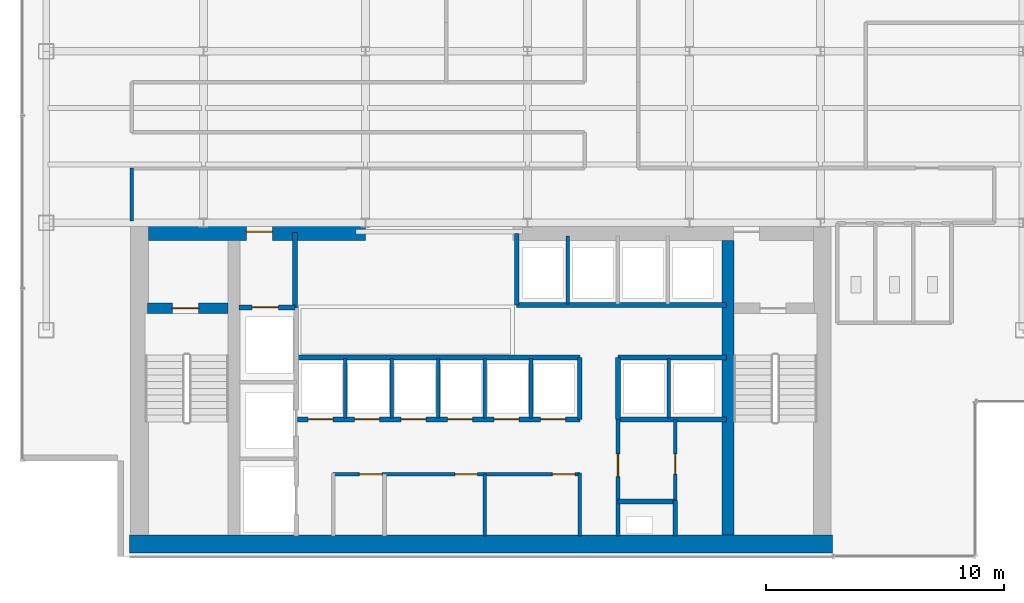
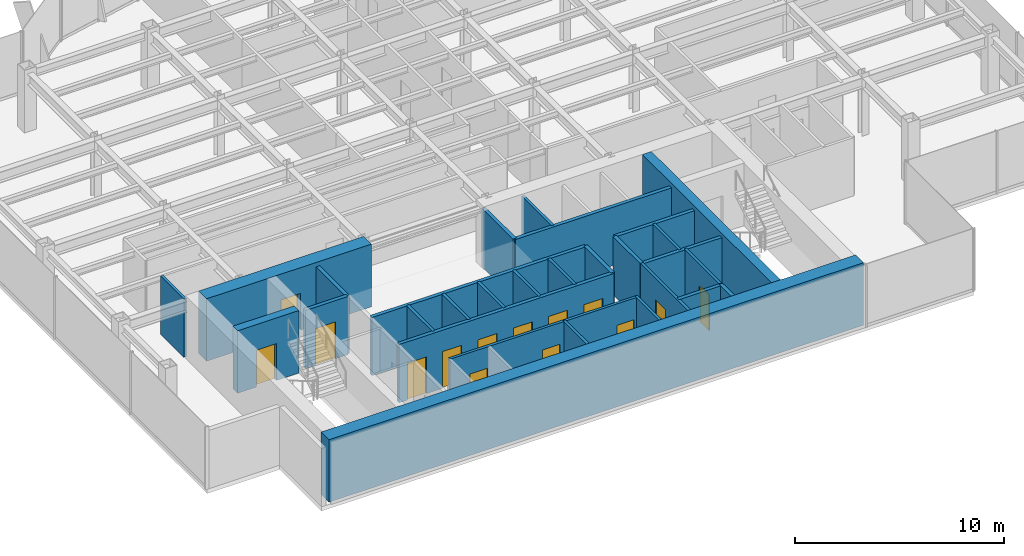
# One storey, part 20 of 25: 29 walls, 14 doors, 14 openings.
"""IFC4 building model written with IfcOpenShell, lengths in metres."""

from ifc_helpers import new_model, si_unit, derived_unit, direction, frame, frame_2d, origin, place, context, subcontext, project, spatial, rectangle, extrude, source, transform, mapped, material, layer, layer_set, type_object, element, fill, save


model = new_model("IFC4")

# Units and contexts
model_context = context("Model", 3, precision=1e-05, world=origin(), true_north=direction((0.0, 1.0)))
body_context = subcontext(model_context, "Body", "Model", "MODEL_VIEW")
ifc_project = project(units=[si_unit("LENGTHUNIT", "METRE"), si_unit("AREAUNIT", "SQUARE_METRE"), si_unit("VOLUMEUNIT", "CUBIC_METRE"), si_unit("PLANEANGLEUNIT", "RADIAN"), si_unit("MASSUNIT", "GRAM", prefix="KILO"), derived_unit("THERMALTRANSMITTANCEUNIT", [(si_unit("POWERUNIT", "WATT"), 1), (si_unit("LENGTHUNIT", "METRE"), -2), (si_unit("THERMODYNAMICTEMPERATUREUNIT", "KELVIN"), -1)])], contexts=[model_context])

# Site, building, storey
site_placement = place(None, origin())
site = spatial("IfcSite", under=ifc_project, at=site_placement, CompositionType="ELEMENT")
building_placement = place(site_placement, origin())
building = spatial("IfcBuilding", under=site, at=building_placement, Name="Skarnbrae Concourse Arena and Tower", CompositionType="ELEMENT")
storey_placement = place(building_placement, frame((0.0, 0.0, 177.10009765625)))
storey = spatial("IfcBuildingStorey", under=building, at=storey_placement, Name="L45", CompositionType="ELEMENT", Elevation=177.10009765625)

# Wall, opening, door
ifc_material_1 = material(Name="Concrete 50 MPa (C50/60)", Category="concrete")
ifc_layer_1 = layer(ifc_material_1, 0.449951171875)
ifc_layer_set_1 = layer_set([ifc_layer_1], Name="Concrete 50 MPa (C50/60)")
wall_type_1 = type_object("IfcWallType", Name="WALL-CORE-450-C50", PredefinedType="SHEAR", material=ifc_layer_set_1)
shared_shape_1 = source(origin(), body_context, "Body", "SweptSolid", [
    extrude(rectangle(XDim=3.389892578125, YDim=0.449951171875, at=frame_2d((1.69482421875, 0.0))), origin(), (0.0, 0.0, 1.0), 3.64990234375),
])
wall_1_placement = place(storey_placement, frame((5.25, 10.419921875, 0.0), z_axis=(0.0, 0.0, 1.0), x_axis=(1.0, 0.0, 0.0)))
wall_1 = element("IfcWall", 1, at=wall_1_placement, inside=storey, type_object=wall_type_1, Name="L45 Rear core shear wall CW-ST1-N", PredefinedType="SHEAR", context=body_context, shape_type="MappedRepresentation", body=[
    mapped(shared_shape_1, transform((0.0, 0.0, 0.0))),
])
opening_1_placement = place(wall_1_placement, frame((1.050048828125, 0.0, 0.0)))
opening_1 = element("IfcOpeningElement", 2, at=opening_1_placement, cuts=wall_1, Name="Opening DT-03", PredefinedType="OPENING", context=body_context, shape_type="SweptSolid", body=[
    extrude(rectangle(XDim=1.10009765625, YDim=2.14990234375, at=frame_2d((0.550048828125, 1.074951171875))), frame((0.0, 0.23486328125, 0.0), z_axis=(0.0, -1.0, 0.0), x_axis=(1.0, 0.0, 0.0)), (0.0, 0.0, 1.0), 0.469970703125),
])
ifc_material_2 = material(Name="Steel CSA G40.21 350W", Category="steel")
door_type_1 = type_object("IfcDoorType", Name="DOOR-FIRE-1100-90M", OperationType="NOTDEFINED", PredefinedType="DOOR", material=ifc_material_2)
shared_shape_2 = source(origin(), body_context, "Body", "SweptSolid", [
    extrude(rectangle(XDim=1.10009765625, YDim=2.14990234375, at=frame_2d((0.550048828125, 1.074951171875))), frame((0.0, 0.02490234375, 0.0), z_axis=(0.0, -1.0, 0.0), x_axis=(1.0, 0.0, 0.0)), (0.0, 0.0, 1.0), 0.050048828125),
])
door_1_placement = place(opening_1_placement, frame((1.10009765625, 0.0, 0.0), z_axis=(0.0, 0.0, 1.0), x_axis=(-1.0, 0.0, 0.0)))
door_1 = element("IfcDoor", 3, at=door_1_placement, inside=storey, type_object=door_type_1, Name="D-1380 Stair ST-1 Door", OperationType="SINGLE_SWING_LEFT", OverallHeight=2.14990234375, OverallWidth=1.10009765625, PredefinedType="DOOR", context=body_context, shape_type="MappedRepresentation", body=[
    mapped(shared_shape_2, transform((0.0, 0.0, 0.0))),
])
fill(opening_1, door_1)

# Wall
ifc_material_3 = material(Name="Concrete 60 MPa (C60/75)", Category="concrete")
ifc_layer_2 = layer(ifc_material_3, 0.75)
ifc_layer_set_2 = layer_set([ifc_layer_2], Name="Concrete 60 MPa (C60/75)")
wall_type_2 = type_object("IfcWallType", Name="WALL-CORE-750-C60", PredefinedType="SHEAR", material=ifc_layer_set_2)
shared_shape_3 = source(origin(), body_context, "Body", "SweptSolid", [
    extrude(rectangle(XDim=29.5, YDim=0.75, at=frame_2d((14.75, 0.0))), origin(), (0.0, 0.0, 1.0), 3.64990234375),
])
wall_2_placement = place(storey_placement, frame((4.5, 0.52490234375, 0.0), z_axis=(0.0, 0.0, 1.0), x_axis=(1.0, 0.0, 0.0)))
element("IfcWall", 4, at=wall_2_placement, inside=storey, type_object=wall_type_2, Name="L45 Rear core shear wall CW-S", PredefinedType="SHEAR", context=body_context, shape_type="MappedRepresentation", body=[
    mapped(shared_shape_3, transform((0.0, 0.0, 0.0))),
])

# Wall, opening, door
shared_shape_4 = source(origin(), body_context, "Body", "SweptSolid", [
    extrude(rectangle(XDim=9.099853515625, YDim=0.75, at=frame_2d((4.5498046875, 0.0))), origin(), (0.0, 0.0, 1.0), 3.64990234375),
])
wall_3_placement = place(storey_placement, frame((5.300048828125, 13.625, 0.0), z_axis=(0.0, 0.0, 1.0), x_axis=(1.0, 0.0, 0.0)))
wall_3 = element("IfcWall", 5, at=wall_3_placement, inside=storey, type_object=wall_type_2, Name="L45 Rear core shear wall CW-NW", PredefinedType="SHEAR", context=body_context, shape_type="MappedRepresentation", body=[
    mapped(shared_shape_4, transform((0.0, 0.0, 0.0))),
])
opening_2_placement = place(wall_3_placement, frame((4.10009765625, 0.0, 0.0)))
opening_2 = element("IfcOpeningElement", 6, at=opening_2_placement, cuts=wall_3, Name="Opening DT-03", PredefinedType="OPENING", context=body_context, shape_type="SweptSolid", body=[
    extrude(rectangle(XDim=1.10009765625, YDim=2.14990234375, at=frame_2d((0.550048828125, 1.074951171875))), frame((0.0, 0.385009765625, 0.0), z_axis=(0.0, -1.0, 0.0), x_axis=(1.0, 0.0, 0.0)), (0.0, 0.0, 1.0), 0.77001953125),
])
door_2_placement = place(opening_2_placement, origin())
door_2 = element("IfcDoor", 7, at=door_2_placement, inside=storey, type_object=door_type_1, Name="D-1382 Firefighting Lobby Exit Door", OperationType="SINGLE_SWING_RIGHT", OverallHeight=2.14990234375, OverallWidth=1.10009765625, PredefinedType="DOOR", context=body_context, shape_type="MappedRepresentation", body=[
    mapped(shared_shape_2, transform((0.0, 0.0, 0.0))),
])
fill(opening_2, door_2)

# Walls
ifc_layer_3 = layer(ifc_material_3, 0.5)
ifc_layer_set_3 = layer_set([ifc_layer_3], Name="Concrete 60 MPa (C60/75)")
wall_type_3 = type_object("IfcWallType", Name="WALL-CORE-500-C60", PredefinedType="SHEAR", material=ifc_layer_set_3)
shared_shape_5 = source(origin(), body_context, "Body", "SweptSolid", [
    extrude(rectangle(XDim=12.35009765625, YDim=0.5, at=frame_2d((6.175048828125, 0.0))), origin(), (0.0, 0.0, 1.0), 3.64990234375),
])
wall_4_placement = place(storey_placement, frame((29.610107421875, 0.89990234375, 0.0), z_axis=(0.0, 0.0, 1.0), x_axis=(0.0, 1.0, 0.0)))
element("IfcWall", 8, at=wall_4_placement, inside=storey, type_object=wall_type_3, Name="L45 Rear core shear wall CW-WEB-E", PredefinedType="SHEAR", context=body_context, shape_type="MappedRepresentation", body=[
    mapped(shared_shape_5, transform((0.0, 0.0, 0.0))),
])
ifc_material_4 = material(Name="Gypsum board on cold-formed steel studs", Category="steel")
ifc_layer_4 = layer(ifc_material_4, 0.199951171875)
ifc_layer_set_4 = layer_set([ifc_layer_4], Name="Gypsum board on cold-formed steel studs")
wall_type_4 = type_object("IfcWallType", Name="WALL-PART-200-2HR", PredefinedType="PARTITIONING", material=ifc_layer_set_4)
shared_shape_6 = source(origin(), body_context, "Body", "SweptSolid", [
    extrude(rectangle(XDim=3.18017578125, YDim=0.199951171875, at=frame_2d((1.590087890625, 0.0))), origin(), (0.0, 0.0, 1.0), 3.39990234375),
])
wall_5_placement = place(storey_placement, frame((11.449951171875, 10.419921875, 0.0), z_axis=(0.0, 0.0, 1.0), x_axis=(0.0, 1.0, 0.0)))
element("IfcWall", 9, at=wall_5_placement, inside=storey, type_object=wall_type_4, Name="L45 Interior partition wall W-L45-FFL-E", PredefinedType="PARTITIONING", context=body_context, shape_type="MappedRepresentation", body=[
    mapped(shared_shape_6, transform((0.0, 0.0, 0.0))),
])

# Wall, opening, door
shared_shape_7 = source(origin(), body_context, "Body", "SweptSolid", [
    extrude(rectangle(XDim=2.349853515625, YDim=0.199951171875, at=frame_2d((1.1748046875, 0.0))), origin(), (0.0, 0.0, 1.0), 3.39990234375),
])
wall_6_placement = place(storey_placement, frame((9.10009765625, 10.449951171875, 0.0), z_axis=(0.0, 0.0, 1.0), x_axis=(1.0, 0.0, 0.0)))
wall_6 = element("IfcWall", 10, at=wall_6_placement, inside=storey, type_object=wall_type_4, Name="L45 Interior partition wall W-L45-FL1-N", PredefinedType="PARTITIONING", context=body_context, shape_type="MappedRepresentation", body=[
    mapped(shared_shape_7, transform((0.0, 0.0, 0.0))),
])
opening_3_placement = place(wall_6_placement, frame((0.550048828125, 0.0, 0.0)))
opening_3 = element("IfcOpeningElement", 11, at=opening_3_placement, cuts=wall_6, Name="Opening LD-01", PredefinedType="OPENING", context=body_context, shape_type="SweptSolid", body=[
    extrude(rectangle(XDim=1.10009765625, YDim=2.14990234375, at=frame_2d((0.550048828125, 1.074951171875))), frame((0.0, 0.10986328125, 0.0), z_axis=(0.0, -1.0, 0.0), x_axis=(1.0, 0.0, 0.0)), (0.0, 0.0, 1.0), 0.219970703125),
])
door_type_2 = type_object("IfcDoorType", Name="DOOR-LIFT-SLIDE-1100", OperationType="SLIDING_TO_LEFT", PredefinedType="DOOR", material=ifc_material_2)
door_3_placement = place(opening_3_placement, origin())
door_3 = element("IfcDoor", 12, at=door_3_placement, inside=storey, type_object=door_type_2, Name="D-1384 Firefighting Lift Landing Door FL-01", OperationType="SLIDING_TO_LEFT", OverallHeight=2.14990234375, OverallWidth=1.10009765625, PredefinedType="DOOR", context=body_context, shape_type="MappedRepresentation", body=[
    mapped(shared_shape_2, transform((0.0, 0.0, 0.0))),
])
fill(opening_3, door_3)

# Wall
ifc_layer_5 = layer(ifc_material_4, 0.14990234375)
ifc_layer_set_5 = layer_set([ifc_layer_5], Name="Gypsum board on cold-formed steel studs")
wall_type_5 = type_object("IfcWallType", Name="WALL-PART-150", PredefinedType="PARTITIONING", material=ifc_layer_set_5)
shared_shape_8 = source(origin(), body_context, "Body", "SweptSolid", [
    extrude(rectangle(XDim=2.599853515625, YDim=0.14990234375, at=frame_2d((1.2998046875, 0.0))), origin(), (0.0, 0.0, 1.0), 3.39990234375),
])
wall_7_placement = place(storey_placement, frame((19.39990234375, 0.85009765625, 0.0), z_axis=(0.0, 0.0, 1.0), x_axis=(0.0, 1.0, 0.0)))
element("IfcWall", 13, at=wall_7_placement, inside=storey, type_object=wall_type_5, Name="L45 Interior partition wall W-L45-B1M-C2", PredefinedType="PARTITIONING", context=body_context, shape_type="MappedRepresentation", body=[
    mapped(shared_shape_8, transform((0.0, 0.0, 0.0))),
])

# Wall, openings, doors
shared_shape_9 = source(origin(), body_context, "Body", "SweptSolid", [
    extrude(rectangle(XDim=11.849853515625, YDim=0.199951171875, at=frame_2d((5.9248046875, 0.0))), origin(), (0.0, 0.0, 1.0), 3.39990234375),
])
wall_8_placement = place(storey_placement, frame((11.550048828125, 5.75, 0.0), z_axis=(0.0, 0.0, 1.0), x_axis=(1.0, 0.0, 0.0)))
wall_8 = element("IfcWall", 14, at=wall_8_placement, inside=storey, type_object=wall_type_4, Name="L45 Interior partition wall W-L45-B2-S", PredefinedType="PARTITIONING", context=body_context, shape_type="MappedRepresentation", body=[
    mapped(shared_shape_9, transform((0.0, 0.0, 0.0))),
])
opening_4_placement = place(wall_8_placement, frame((0.449951171875, 0.0, 0.0)))
opening_4 = element("IfcOpeningElement", 15, at=opening_4_placement, cuts=wall_8, Name="Opening LD-03", PredefinedType="OPENING", context=body_context, shape_type="SweptSolid", body=[
    extrude(rectangle(XDim=1.050048828125, YDim=2.14990234375, at=frame_2d((0.52490234375, 1.074951171875))), frame((0.0, 0.10986328125, 0.0), z_axis=(0.0, -1.0, 0.0), x_axis=(1.0, 0.0, 0.0)), (0.0, 0.0, 1.0), 0.219970703125),
])
opening_5_placement = place(wall_8_placement, frame((2.39990234375, 0.0, 0.0)))
opening_5 = element("IfcOpeningElement", 16, at=opening_5_placement, cuts=wall_8, Name="Opening LD-03", PredefinedType="OPENING", context=body_context, shape_type="SweptSolid", body=[
    extrude(rectangle(XDim=1.050048828125, YDim=2.14990234375, at=frame_2d((0.52490234375, 1.074951171875))), frame((0.0, 0.10986328125, 0.0), z_axis=(0.0, -1.0, 0.0), x_axis=(1.0, 0.0, 0.0)), (0.0, 0.0, 1.0), 0.219970703125),
])
opening_6_placement = place(wall_8_placement, frame((4.35009765625, 0.0, 0.0)))
opening_6 = element("IfcOpeningElement", 17, at=opening_6_placement, cuts=wall_8, Name="Opening LD-03", PredefinedType="OPENING", context=body_context, shape_type="SweptSolid", body=[
    extrude(rectangle(XDim=1.050048828125, YDim=2.14990234375, at=frame_2d((0.52490234375, 1.074951171875))), frame((0.0, 0.10986328125, 0.0), z_axis=(0.0, -1.0, 0.0), x_axis=(1.0, 0.0, 0.0)), (0.0, 0.0, 1.0), 0.219970703125),
])
opening_7_placement = place(wall_8_placement, frame((6.300048828125, 0.0, 0.0)))
opening_7 = element("IfcOpeningElement", 18, at=opening_7_placement, cuts=wall_8, Name="Opening LD-03", PredefinedType="OPENING", context=body_context, shape_type="SweptSolid", body=[
    extrude(rectangle(XDim=1.050048828125, YDim=2.14990234375, at=frame_2d((0.52490234375, 1.074951171875))), frame((0.0, 0.10986328125, 0.0), z_axis=(0.0, -1.0, 0.0), x_axis=(1.0, 0.0, 0.0)), (0.0, 0.0, 1.0), 0.219970703125),
])
opening_8_placement = place(wall_8_placement, frame((8.25, 0.0, 0.0)))
opening_8 = element("IfcOpeningElement", 19, at=opening_8_placement, cuts=wall_8, Name="Opening LD-03", PredefinedType="OPENING", context=body_context, shape_type="SweptSolid", body=[
    extrude(rectangle(XDim=1.050048828125, YDim=2.14990234375, at=frame_2d((0.52490234375, 1.074951171875))), frame((0.0, 0.10986328125, 0.0), z_axis=(0.0, -1.0, 0.0), x_axis=(1.0, 0.0, 0.0)), (0.0, 0.0, 1.0), 0.219970703125),
])
opening_9_placement = place(wall_8_placement, frame((10.199951171875, 0.0, 0.0)))
opening_9 = element("IfcOpeningElement", 20, at=opening_9_placement, cuts=wall_8, Name="Opening LD-03", PredefinedType="OPENING", context=body_context, shape_type="SweptSolid", body=[
    extrude(rectangle(XDim=1.050048828125, YDim=2.14990234375, at=frame_2d((0.52490234375, 1.074951171875))), frame((0.0, 0.10986328125, 0.0), z_axis=(0.0, -1.0, 0.0), x_axis=(1.0, 0.0, 0.0)), (0.0, 0.0, 1.0), 0.219970703125),
])
ifc_material_5 = material(Name="Bronze anodised aluminium 6063-T6", Category="aluminium")
door_type_3 = type_object("IfcDoorType", Name="DOOR-LIFT-SLIDE-1050", OperationType="SLIDING_TO_LEFT", PredefinedType="DOOR", material=ifc_material_5)
shared_shape_10 = source(origin(), body_context, "Body", "SweptSolid", [
    extrude(rectangle(XDim=1.050048828125, YDim=2.14990234375, at=frame_2d((0.52490234375, 1.074951171875))), frame((0.0, 0.02490234375, 0.0), z_axis=(0.0, -1.0, 0.0), x_axis=(1.0, 0.0, 0.0)), (0.0, 0.0, 1.0), 0.050048828125),
])
door_4_placement = place(opening_4_placement, frame((1.050048828125, 0.0, 0.0), z_axis=(0.0, 0.0, 1.0), x_axis=(-1.0, 0.0, 0.0)))
door_4 = element("IfcDoor", 21, at=door_4_placement, inside=storey, type_object=door_type_3, Name="D-1390 Passenger Lift Landing Door PL-2A", OperationType="SLIDING_TO_LEFT", OverallHeight=2.14990234375, OverallWidth=1.050048828125, PredefinedType="DOOR", context=body_context, shape_type="MappedRepresentation", body=[
    mapped(shared_shape_10, transform((0.0, 0.0, 0.0))),
])
fill(opening_4, door_4)
door_5_placement = place(opening_5_placement, frame((1.050048828125, 0.0, 0.0), z_axis=(0.0, 0.0, 1.0), x_axis=(-1.0, 0.0, 0.0)))
door_5 = element("IfcDoor", 22, at=door_5_placement, inside=storey, type_object=door_type_3, Name="D-1391 Passenger Lift Landing Door PL-2B", OperationType="SLIDING_TO_LEFT", OverallHeight=2.14990234375, OverallWidth=1.050048828125, PredefinedType="DOOR", context=body_context, shape_type="MappedRepresentation", body=[
    mapped(shared_shape_10, transform((0.0, 0.0, 0.0))),
])
fill(opening_5, door_5)
door_6_placement = place(opening_6_placement, frame((1.050048828125, 0.0, 0.0), z_axis=(0.0, 0.0, 1.0), x_axis=(-1.0, 0.0, 0.0)))
door_6 = element("IfcDoor", 23, at=door_6_placement, inside=storey, type_object=door_type_3, Name="D-1392 Passenger Lift Landing Door PL-2C", OperationType="SLIDING_TO_LEFT", OverallHeight=2.14990234375, OverallWidth=1.050048828125, PredefinedType="DOOR", context=body_context, shape_type="MappedRepresentation", body=[
    mapped(shared_shape_10, transform((0.0, 0.0, 0.0))),
])
fill(opening_6, door_6)
door_7_placement = place(opening_7_placement, frame((1.050048828125, 0.0, 0.0), z_axis=(0.0, 0.0, 1.0), x_axis=(-1.0, 0.0, 0.0)))
door_7 = element("IfcDoor", 24, at=door_7_placement, inside=storey, type_object=door_type_3, Name="D-1393 Passenger Lift Landing Door PL-2D", OperationType="SLIDING_TO_LEFT", OverallHeight=2.14990234375, OverallWidth=1.050048828125, PredefinedType="DOOR", context=body_context, shape_type="MappedRepresentation", body=[
    mapped(shared_shape_10, transform((0.0, 0.0, 0.0))),
])
fill(opening_7, door_7)
door_8_placement = place(opening_8_placement, frame((1.050048828125, 0.0, 0.0), z_axis=(0.0, 0.0, 1.0), x_axis=(-1.0, 0.0, 0.0)))
door_8 = element("IfcDoor", 25, at=door_8_placement, inside=storey, type_object=door_type_3, Name="D-1394 Passenger Lift Landing Door PL-2E", OperationType="SLIDING_TO_LEFT", OverallHeight=2.14990234375, OverallWidth=1.050048828125, PredefinedType="DOOR", context=body_context, shape_type="MappedRepresentation", body=[
    mapped(shared_shape_10, transform((0.0, 0.0, 0.0))),
])
fill(opening_8, door_8)
door_9_placement = place(opening_9_placement, frame((1.050048828125, 0.0, 0.0), z_axis=(0.0, 0.0, 1.0), x_axis=(-1.0, 0.0, 0.0)))
door_9 = element("IfcDoor", 26, at=door_9_placement, inside=storey, type_object=door_type_3, Name="D-1395 Passenger Lift Landing Door PL-2F", OperationType="SLIDING_TO_LEFT", OverallHeight=2.14990234375, OverallWidth=1.050048828125, PredefinedType="DOOR", context=body_context, shape_type="MappedRepresentation", body=[
    mapped(shared_shape_10, transform((0.0, 0.0, 0.0))),
])
fill(opening_9, door_9)

# Walls
wall_9_placement = place(storey_placement, frame((11.550048828125, 8.35009765625, 0.0), z_axis=(0.0, 0.0, 1.0), x_axis=(1.0, 0.0, 0.0)))
element("IfcWall", 27, at=wall_9_placement, inside=storey, type_object=wall_type_4, Name="L45 Interior partition wall W-L45-B2-N", PredefinedType="PARTITIONING", context=body_context, shape_type="MappedRepresentation", body=[
    mapped(shared_shape_9, transform((0.0, 0.0, 0.0))),
])
shared_shape_11 = source(origin(), body_context, "Body", "SweptSolid", [
    extrude(rectangle(XDim=2.60009765625, YDim=0.199951171875, at=frame_2d((1.300048828125, 0.0))), origin(), (0.0, 0.0, 1.0), 3.39990234375),
])
for number, where, z_axis, x_axis, name in (
    (28, (23.39990234375, 5.75, 0.0), (0.0, 0.0, 1.0), (0.0, 1.0, 0.0), "L45 Interior partition wall W-L45-B2-E"),
    (29, (25.0, 5.75, 0.0), (0.0, 0.0, 1.0), (0.0, 1.0, 0.0), "L45 Interior partition wall W-L45-B3S-W"),
):
    element("IfcWall", number, at=place(storey_placement, frame(where, z_axis=z_axis, x_axis=x_axis)), inside=storey, type_object=wall_type_4, Name=name, PredefinedType="PARTITIONING", context=body_context, shape_type="MappedRepresentation", body=[
        mapped(shared_shape_11, transform((0.0, 0.0, 0.0))),
    ])
shared_shape_12 = source(origin(), body_context, "Body", "SweptSolid", [
    extrude(rectangle(XDim=2.5, YDim=0.14990234375, at=frame_2d((1.25, 0.0))), origin(), (0.0, 0.0, 1.0), 3.39990234375),
])
for number, where, z_axis, x_axis, name in (
    (30, (13.550048828125, 5.800048828125, 0.0), (0.0, 0.0, 1.0), (0.0, 1.0, 0.0), "L45 Interior partition wall W-L45-B2-P1"),
    (31, (15.5, 5.800048828125, 0.0), (0.0, 0.0, 1.0), (0.0, 1.0, 0.0), "L45 Interior partition wall W-L45-B2-P2"),
    (32, (17.449951171875, 5.800048828125, 0.0), (0.0, 0.0, 1.0), (0.0, 1.0, 0.0), "L45 Interior partition wall W-L45-B2-P3"),
    (33, (19.39990234375, 5.800048828125, 0.0), (0.0, 0.0, 1.0), (0.0, 1.0, 0.0), "L45 Interior partition wall W-L45-B2-P4"),
    (34, (21.35009765625, 5.800048828125, 0.0), (0.0, 0.0, 1.0), (0.0, 1.0, 0.0), "L45 Interior partition wall W-L45-B2-P5"),
    (35, (27.139892578125, 5.800048828125, 0.0), (0.0, 0.0, 1.0), (0.0, 1.0, 0.0), "L45 Interior partition wall W-L45-B3S-P1"),
):
    element("IfcWall", number, at=place(storey_placement, frame(where, z_axis=z_axis, x_axis=x_axis)), inside=storey, type_object=wall_type_5, Name=name, PredefinedType="PARTITIONING", context=body_context, shape_type="MappedRepresentation", body=[
        mapped(shared_shape_12, transform((0.0, 0.0, 0.0))),
    ])
shared_shape_13 = source(origin(), body_context, "Body", "SweptSolid", [
    extrude(rectangle(XDim=8.800048828125, YDim=0.199951171875, at=frame_2d((4.39990234375, 0.0))), origin(), (0.0, 0.0, 1.0), 3.39990234375),
])
wall_10_placement = place(storey_placement, frame((20.75, 10.550048828125, 0.0), z_axis=(0.0, 0.0, 1.0), x_axis=(1.0, 0.0, 0.0)))
element("IfcWall", 36, at=wall_10_placement, inside=storey, type_object=wall_type_4, Name="L45 Interior partition wall W-L45-B3N-S", PredefinedType="PARTITIONING", context=body_context, shape_type="MappedRepresentation", body=[
    mapped(shared_shape_13, transform((0.0, 0.0, 0.0))),
])
shared_shape_14 = source(origin(), body_context, "Body", "SweptSolid", [
    extrude(rectangle(XDim=3.0, YDim=0.199951171875, at=frame_2d((1.5, 0.0))), origin(), (0.0, 0.0, 1.0), 3.39990234375),
])
wall_11_placement = place(storey_placement, frame((20.75, 10.550048828125, 0.0), z_axis=(0.0, 0.0, 1.0), x_axis=(0.0, 1.0, 0.0)))
element("IfcWall", 37, at=wall_11_placement, inside=storey, type_object=wall_type_4, Name="L45 Interior partition wall W-L45-B3N-W", PredefinedType="PARTITIONING", context=body_context, shape_type="MappedRepresentation", body=[
    mapped(shared_shape_14, transform((0.0, 0.0, 0.0))),
])
shared_shape_15 = source(origin(), body_context, "Body", "SweptSolid", [
    extrude(rectangle(XDim=2.849853515625, YDim=0.14990234375, at=frame_2d((1.4248046875, 0.0))), origin(), (0.0, 0.0, 1.0), 3.39990234375),
])
wall_12_placement = place(storey_placement, frame((22.889892578125, 10.60009765625, 0.0), z_axis=(0.0, 0.0, 1.0), x_axis=(0.0, 1.0, 0.0)))
element("IfcWall", 38, at=wall_12_placement, inside=storey, type_object=wall_type_5, Name="L45 Interior partition wall W-L45-B3N-P1", PredefinedType="PARTITIONING", context=body_context, shape_type="MappedRepresentation", body=[
    mapped(shared_shape_15, transform((0.0, 0.0, 0.0))),
])
shared_shape_16 = source(origin(), body_context, "Body", "SweptSolid", [
    extrude(rectangle(XDim=4.550048828125, YDim=0.199951171875, at=frame_2d((2.27490234375, 0.0))), origin(), (0.0, 0.0, 1.0), 3.39990234375),
])
for number, where, z_axis, x_axis, name in (
    (39, (25.0, 8.35009765625, 0.0), (0.0, 0.0, 1.0), (1.0, 0.0, 0.0), "L45 Interior partition wall W-L45-B3S-N"),
    (40, (25.0, 5.75, 0.0), (0.0, 0.0, 1.0), (1.0, 0.0, 0.0), "L45 Interior partition wall W-L45-B3S-S"),
):
    element("IfcWall", number, at=place(storey_placement, frame(where, z_axis=z_axis, x_axis=x_axis)), inside=storey, type_object=wall_type_4, Name=name, PredefinedType="PARTITIONING", context=body_context, shape_type="MappedRepresentation", body=[
        mapped(shared_shape_16, transform((0.0, 0.0, 0.0))),
    ])

# Wall, opening, door
ifc_layer_6 = layer(ifc_material_4, 0.14990234375)
ifc_layer_set_6 = layer_set([ifc_layer_6], Name="Gypsum board on cold-formed steel studs")
wall_type_6 = type_object("IfcWallType", Name="WALL-PART-150-1HR", PredefinedType="PARTITIONING", material=ifc_layer_set_6)
shared_shape_17 = source(origin(), body_context, "Body", "SweptSolid", [
    extrude(rectangle(XDim=4.89990234375, YDim=0.14990234375, at=frame_2d((2.449951171875, 0.0))), origin(), (0.0, 0.0, 1.0), 3.39990234375),
])
wall_13_placement = place(storey_placement, frame((25.0, 0.85009765625, 0.0), z_axis=(0.0, 0.0, 1.0), x_axis=(0.0, 1.0, 0.0)))
wall_13 = element("IfcWall", 41, at=wall_13_placement, inside=storey, type_object=wall_type_6, Name="L45 Interior partition wall W-L45-CSV-W", PredefinedType="PARTITIONING", context=body_context, shape_type="MappedRepresentation", body=[
    mapped(shared_shape_17, transform((0.0, 0.0, 0.0))),
])
opening_10_placement = place(wall_13_placement, frame((2.5, 0.0, 0.0)))
opening_10 = element("IfcOpeningElement", 42, at=opening_10_placement, cuts=wall_13, Name="Opening DT-04", PredefinedType="OPENING", context=body_context, shape_type="SweptSolid", body=[
    extrude(rectangle(XDim=0.949951171875, YDim=2.14990234375, at=frame_2d((0.47509765625, 1.074951171875))), frame((0.0, 0.0849609375, 0.0), z_axis=(0.0, -1.0, 0.0), x_axis=(1.0, 0.0, 0.0)), (0.0, 0.0, 1.0), 0.169921875),
])
door_type_4 = type_object("IfcDoorType", Name="DOOR-INT-950-45M", OperationType="NOTDEFINED", PredefinedType="DOOR", material=ifc_material_2)
shared_shape_18 = source(origin(), body_context, "Body", "SweptSolid", [
    extrude(rectangle(XDim=0.949951171875, YDim=2.14990234375, at=frame_2d((0.47509765625, 1.074951171875))), frame((0.0, 0.02490234375, 0.0), z_axis=(0.0, -1.0, 0.0), x_axis=(1.0, 0.0, 0.0)), (0.0, 0.0, 1.0), 0.050048828125),
])
door_10_placement = place(opening_10_placement, origin())
door_10 = element("IfcDoor", 43, at=door_10_placement, inside=storey, type_object=door_type_4, Name="D-1396 Core Pantry Door", OperationType="SINGLE_SWING_RIGHT", OverallHeight=2.14990234375, OverallWidth=0.949951171875, PredefinedType="DOOR", context=body_context, shape_type="MappedRepresentation", body=[
    mapped(shared_shape_18, transform((0.0, 0.0, 0.0))),
])
fill(opening_10, door_10)

# Walls
shared_shape_19 = source(origin(), body_context, "Body", "SweptSolid", [
    extrude(rectangle(XDim=2.39990234375, YDim=0.199951171875, at=frame_2d((1.199951171875, 0.0))), origin(), (0.0, 0.0, 1.0), 3.39990234375),
])
wall_14_placement = place(storey_placement, frame((25.0, 2.300048828125, 0.0), z_axis=(0.0, 0.0, 1.0), x_axis=(1.0, 0.0, 0.0)))
element("IfcWall", 44, at=wall_14_placement, inside=storey, type_object=wall_type_4, Name="L45 Interior partition wall W-L45-MEP-N", PredefinedType="PARTITIONING", context=body_context, shape_type="MappedRepresentation", body=[
    mapped(shared_shape_19, transform((0.0, 0.0, 0.0))),
])
shared_shape_20 = source(origin(), body_context, "Body", "SweptSolid", [
    extrude(rectangle(XDim=1.5, YDim=0.199951171875, at=frame_2d((0.75, 0.0))), origin(), (0.0, 0.0, 1.0), 3.39990234375),
])
wall_15_placement = place(storey_placement, frame((27.39990234375, 0.85009765625, 0.0), z_axis=(0.0, 0.0, 1.0), x_axis=(0.0, 1.0, 0.0)))
element("IfcWall", 45, at=wall_15_placement, inside=storey, type_object=wall_type_4, Name="L45 Interior partition wall W-L45-MEP-E", PredefinedType="PARTITIONING", context=body_context, shape_type="MappedRepresentation", body=[
    mapped(shared_shape_20, transform((0.0, 0.0, 0.0))),
])

# Wall, opening, door
shared_shape_21 = source(origin(), body_context, "Body", "SweptSolid", [
    extrude(rectangle(XDim=3.39990234375, YDim=0.14990234375, at=frame_2d((1.699951171875, 0.0))), origin(), (0.0, 0.0, 1.0), 3.39990234375),
])
wall_16_placement = place(storey_placement, frame((27.39990234375, 2.35009765625, 0.0), z_axis=(0.0, 0.0, 1.0), x_axis=(0.0, 1.0, 0.0)))
wall_16 = element("IfcWall", 46, at=wall_16_placement, inside=storey, type_object=wall_type_5, Name="L45 Interior partition wall W-L45-CSV-V", PredefinedType="PARTITIONING", context=body_context, shape_type="MappedRepresentation", body=[
    mapped(shared_shape_21, transform((0.0, 0.0, 0.0))),
])
opening_11_placement = place(wall_16_placement, frame((1.10009765625, 0.0, 0.0)))
opening_11 = element("IfcOpeningElement", 47, at=opening_11_placement, cuts=wall_16, Name="Opening DT-06", PredefinedType="OPENING", context=body_context, shape_type="SweptSolid", body=[
    extrude(rectangle(XDim=0.85009765625, YDim=2.10009765625, at=frame_2d((0.425048828125, 1.050048828125))), frame((0.0, 0.0849609375, 0.0), z_axis=(0.0, -1.0, 0.0), x_axis=(1.0, 0.0, 0.0)), (0.0, 0.0, 1.0), 0.169921875),
])
ifc_material_6 = material(Name="Architectural oak veneer timber leaf", Category="wood")
door_type_5 = type_object("IfcDoorType", Name="DOOR-INT-850", OperationType="NOTDEFINED", PredefinedType="DOOR", material=ifc_material_6)
shared_shape_22 = source(origin(), body_context, "Body", "SweptSolid", [
    extrude(rectangle(XDim=0.85009765625, YDim=2.10009765625, at=frame_2d((0.425048828125, 1.050048828125))), frame((0.0, 0.02490234375, 0.0), z_axis=(0.0, -1.0, 0.0), x_axis=(1.0, 0.0, 0.0)), (0.0, 0.0, 1.0), 0.050048828125),
])
door_11_placement = place(opening_11_placement, frame((0.85009765625, 0.0, 0.0), z_axis=(0.0, 0.0, 1.0), x_axis=(-1.0, 0.0, 0.0)))
door_11 = element("IfcDoor", 48, at=door_11_placement, inside=storey, type_object=door_type_5, Name="D-1397 Supply Cupboard Door", OperationType="SINGLE_SWING_LEFT", OverallHeight=2.10009765625, OverallWidth=0.85009765625, PredefinedType="DOOR", context=body_context, shape_type="MappedRepresentation", body=[
    mapped(shared_shape_22, transform((0.0, 0.0, 0.0))),
])
fill(opening_11, door_11)

# Wall
shared_shape_23 = source(origin(), body_context, "Body", "SweptSolid", [
    extrude(rectangle(XDim=2.64990234375, YDim=0.14990234375, at=frame_2d((1.324951171875, 0.0))), origin(), (0.0, 0.0, 1.0), 3.39990234375),
])
wall_17_placement = place(storey_placement, frame((23.39990234375, 0.85009765625, 0.0), z_axis=(0.0, 0.0, 1.0), x_axis=(0.0, 1.0, 0.0)))
element("IfcWall", 49, at=wall_17_placement, inside=storey, type_object=wall_type_6, Name="L45 Interior partition wall W-L45-B1M-E", PredefinedType="PARTITIONING", context=body_context, shape_type="MappedRepresentation", body=[
    mapped(shared_shape_23, transform((0.0, 0.0, 0.0))),
])

# Wall, openings, doors
shared_shape_24 = source(origin(), body_context, "Body", "SweptSolid", [
    extrude(rectangle(XDim=10.349853515625, YDim=0.14990234375, at=frame_2d((5.1748046875, 0.0))), origin(), (0.0, 0.0, 1.0), 3.39990234375),
])
wall_18_placement = place(storey_placement, frame((13.050048828125, 3.449951171875, 0.0), z_axis=(0.0, 0.0, 1.0), x_axis=(1.0, 0.0, 0.0)))
wall_18 = element("IfcWall", 50, at=wall_18_placement, inside=storey, type_object=wall_type_6, Name="L45 Interior partition wall W-L45-B1M-N", PredefinedType="PARTITIONING", context=body_context, shape_type="MappedRepresentation", body=[
    mapped(shared_shape_24, transform((0.0, 0.0, 0.0))),
])
opening_12_placement = place(wall_18_placement, frame((1.10009765625, 0.0, 0.0)))
opening_12 = element("IfcOpeningElement", 51, at=opening_12_placement, cuts=wall_18, Name="Opening DT-04", PredefinedType="OPENING", context=body_context, shape_type="SweptSolid", body=[
    extrude(rectangle(XDim=0.949951171875, YDim=2.14990234375, at=frame_2d((0.47509765625, 1.074951171875))), frame((0.0, 0.0849609375, 0.0), z_axis=(0.0, -1.0, 0.0), x_axis=(1.0, 0.0, 0.0)), (0.0, 0.0, 1.0), 0.169921875),
])
opening_13_placement = place(wall_18_placement, frame((5.10009765625, 0.0, 0.0)))
opening_13 = element("IfcOpeningElement", 52, at=opening_13_placement, cuts=wall_18, Name="Opening DT-04", PredefinedType="OPENING", context=body_context, shape_type="SweptSolid", body=[
    extrude(rectangle(XDim=0.949951171875, YDim=2.14990234375, at=frame_2d((0.47509765625, 1.074951171875))), frame((0.0, 0.0849609375, 0.0), z_axis=(0.0, -1.0, 0.0), x_axis=(1.0, 0.0, 0.0)), (0.0, 0.0, 1.0), 0.169921875),
])
opening_14_placement = place(wall_18_placement, frame((9.199951171875, 0.0, 0.0)))
opening_14 = element("IfcOpeningElement", 53, at=opening_14_placement, cuts=wall_18, Name="Opening DT-04", PredefinedType="OPENING", context=body_context, shape_type="SweptSolid", body=[
    extrude(rectangle(XDim=0.949951171875, YDim=2.14990234375, at=frame_2d((0.47509765625, 1.074951171875))), frame((0.0, 0.0849609375, 0.0), z_axis=(0.0, -1.0, 0.0), x_axis=(1.0, 0.0, 0.0)), (0.0, 0.0, 1.0), 0.169921875),
])
door_12_placement = place(opening_12_placement, origin())
door_12 = element("IfcDoor", 54, at=door_12_placement, inside=storey, type_object=door_type_4, Name="D-1387 Core Service Door 1", OperationType="SINGLE_SWING_LEFT", OverallHeight=2.14990234375, OverallWidth=0.949951171875, PredefinedType="DOOR", context=body_context, shape_type="MappedRepresentation", body=[
    mapped(shared_shape_18, transform((0.0, 0.0, 0.0))),
])
fill(opening_12, door_12)
door_13_placement = place(opening_13_placement, origin())
door_13 = element("IfcDoor", 55, at=door_13_placement, inside=storey, type_object=door_type_4, Name="D-1388 Core Service Door 2", OperationType="SINGLE_SWING_RIGHT", OverallHeight=2.14990234375, OverallWidth=0.949951171875, PredefinedType="DOOR", context=body_context, shape_type="MappedRepresentation", body=[
    mapped(shared_shape_18, transform((0.0, 0.0, 0.0))),
])
fill(opening_13, door_13)
door_14_placement = place(opening_14_placement, origin())
door_14 = element("IfcDoor", 56, at=door_14_placement, inside=storey, type_object=door_type_4, Name="D-1389 Core Service Door 3", OperationType="SINGLE_SWING_LEFT", OverallHeight=2.14990234375, OverallWidth=0.949951171875, PredefinedType="DOOR", context=body_context, shape_type="MappedRepresentation", body=[
    mapped(shared_shape_18, transform((0.0, 0.0, 0.0))),
])
fill(opening_14, door_14)

# Wall
shared_shape_25 = source(origin(), body_context, "Body", "SweptSolid", [
    extrude(rectangle(XDim=2.219970703125, YDim=0.14990234375, at=frame_2d((1.10986328125, 0.0))), origin(), (0.0, 0.0, 1.0), 3.39990234375),
])
wall_19_placement = place(storey_placement, frame((4.60009765625, 14.080078125, 0.0), z_axis=(0.0, 0.0, 1.0), x_axis=(0.0, 1.0, 0.0)))
element("IfcWall", 57, at=wall_19_placement, inside=storey, type_object=wall_type_6, Name="L45 Interior partition wall W-L45-COR-01", PredefinedType="PARTITIONING", context=body_context, shape_type="MappedRepresentation", body=[
    mapped(shared_shape_25, transform((0.0, 0.0, 0.0))),
])

save(model, "model.ifc")
